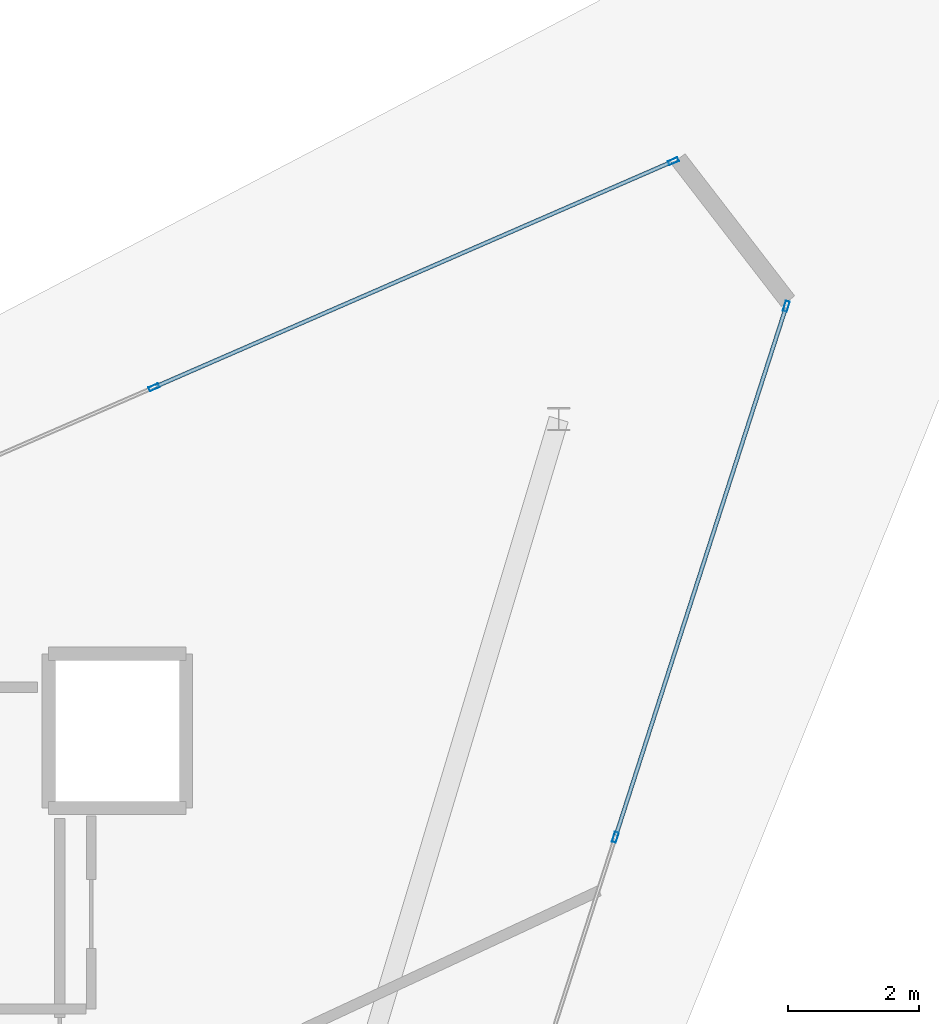
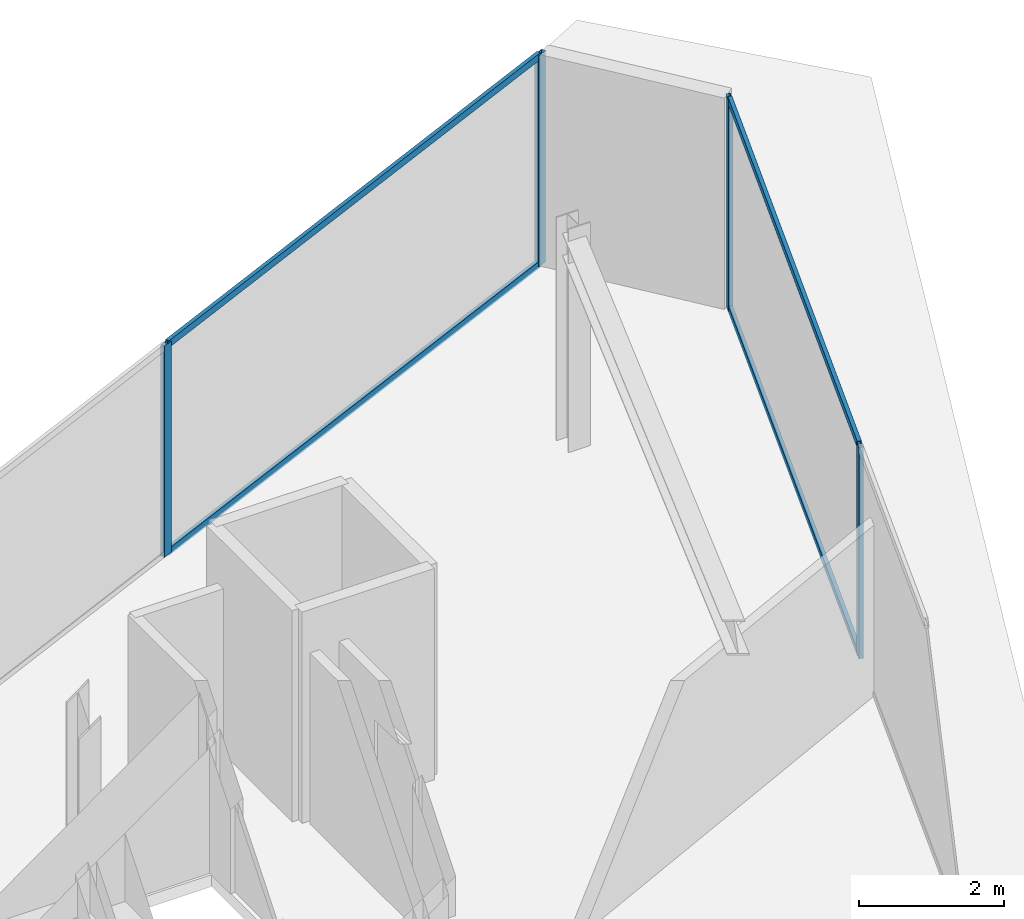
# One storey, part 11 of 14: 8 members, 2 elements without a shape of their own.
"""IFC4 building model written with IfcOpenShell, lengths in metres."""

from ifc_helpers import new_model, si_unit, direction, frame, origin, origin_2d, place, context, subcontext, project, spatial, hollow_rectangle, extrude, material, layer, layer_set, material_profile, profile_set, type_object, element, aggregate, save


model = new_model("IFC4")

# Units and contexts
model_context = context("Model", 3, precision=1e-05, world=origin(), true_north=direction((0.0, 1.0)))
body_context = subcontext(model_context, "Body", "Model", "MODEL_VIEW")
ifc_project = project(units=[si_unit("LENGTHUNIT", "METRE"), si_unit("AREAUNIT", "SQUARE_METRE"), si_unit("VOLUMEUNIT", "CUBIC_METRE"), si_unit("PLANEANGLEUNIT", "RADIAN"), si_unit("MASSUNIT", "GRAM", prefix="KILO")], contexts=[model_context])

# Site, building, storey
site_placement = place(None, origin())
site = spatial("IfcSite", under=ifc_project, at=site_placement, CompositionType="ELEMENT")
building_placement = place(site_placement, origin())
building = spatial("IfcBuilding", under=site, at=building_placement, Name="Qianvela Tower", CompositionType="ELEMENT")
storey_placement = place(building_placement, frame((0.0, 0.0, 356.300048828125)))
storey = spatial("IfcBuildingStorey", under=building, at=storey_placement, Name="L92", CompositionType="ELEMENT", Elevation=356.300048828125)

# Curtain wall, members
ifc_material_1 = material(Name="Anodised Architectural Aluminium and Low-E Glass", Category="aluminium")
ifc_layer = layer(ifc_material_1, 0.159912109375)
ifc_layer_set = layer_set([ifc_layer], Name="Anodised Architectural Aluminium and Low-E Glass")
curtain_wall_type = type_object("IfcCurtainWallType", Name="CW-CROWN", PredefinedType="USERDEFINED", material=ifc_layer_set)
curtain_wall_1_placement = place(storey_placement, origin())
curtain_wall_1 = element("IfcCurtainWall", 1, at=curtain_wall_1_placement, inside=storey, type_object=curtain_wall_type, Name="L92 CW-CROWN Curtain Wall 02", ObjectType="CURTAIN_WALL_SYSTEM", PredefinedType="USERDEFINED")
ifc_material_2 = material(Name="Anodised Architectural Aluminium 6063-T6", Category="aluminium")
ifc_material_profile_1 = material_profile(ifc_material_2, hollow_rectangle(XDim=0.06494140625, YDim=0.159912109375, WallThickness=0.0048828125, at=origin_2d()), Name="ALU-MULL-65x160")
ifc_profile_set_1 = profile_set([ifc_material_profile_1], Name="Anodised Architectural Aluminium 6063-T6")
member_type_1 = type_object("IfcMemberType", Name="CW-CROWN-MULL", PredefinedType="MULLION", material=ifc_profile_set_1)
member_1_placement = place(storey_placement, frame((51.00048828125, 42.811767578125, 0.0), z_axis=(0.0, 0.0, 1.0), x_axis=(0.399215073165, -0.916857309159, 0.0)))
member_1 = element("IfcMember", 2, at=member_1_placement, type_object=member_type_1, Name="CW-8 mullion 1", PredefinedType="MULLION", context=body_context, shape_type="SweptSolid", body=[
    extrude(hollow_rectangle(XDim=0.06494140625, YDim=0.159912109375, WallThickness=0.0048828125, at=origin_2d()), origin(), (0.0, 0.0, 1.0), 3.550048828125),
])
member_2_placement = place(storey_placement, frame((43.058837890625, 39.353759765625, 0.0), z_axis=(0.0, 0.0, 1.0), x_axis=(0.399215073165, -0.916857309159, 0.0)))
member_2 = element("IfcMember", 3, at=member_2_placement, type_object=member_type_1, Name="CW-8 mullion 2", PredefinedType="MULLION", context=body_context, shape_type="SweptSolid", body=[
    extrude(hollow_rectangle(XDim=0.06494140625, YDim=0.159912109375, WallThickness=0.0048828125, at=origin_2d()), origin(), (0.0, 0.0, 1.0), 3.550048828125),
])

curtain_wall_2_placement = place(storey_placement, origin())
curtain_wall_2 = element("IfcCurtainWall", 4, at=curtain_wall_2_placement, inside=storey, type_object=curtain_wall_type, Name="L92 CW-CROWN Curtain Wall 06", ObjectType="CURTAIN_WALL_SYSTEM", PredefinedType="USERDEFINED")
member_3_placement = place(storey_placement, frame((50.11376953125, 32.474853515625, 0.0), z_axis=(0.0, 0.0, 1.0), x_axis=(-0.951894457902, 0.306426077572, 0.0)))
member_3 = element("IfcMember", 5, at=member_3_placement, type_object=member_type_1, Name="CW-8 mullion 4", PredefinedType="MULLION", context=body_context, shape_type="SweptSolid", body=[
    extrude(hollow_rectangle(XDim=0.06494140625, YDim=0.159912109375, WallThickness=0.0048828125, at=origin_2d()), origin(), (0.0, 0.0, 1.0), 3.550048828125),
])
member_4_placement = place(storey_placement, frame((52.7275390625, 40.59375, 0.0), z_axis=(0.0, 0.0, 1.0), x_axis=(-0.951894457902, 0.306426077572, 0.0)))
member_4 = element("IfcMember", 6, at=member_4_placement, type_object=member_type_1, Name="CW-8 mullion 5", PredefinedType="MULLION", context=body_context, shape_type="SweptSolid", body=[
    extrude(hollow_rectangle(XDim=0.06494140625, YDim=0.159912109375, WallThickness=0.0048828125, at=origin_2d()), origin(), (0.0, 0.0, 1.0), 3.550048828125),
])

# Member
ifc_material_3 = material(Name="Anodised Architectural Aluminium 6063-T6", Category="aluminium")
ifc_material_profile_2 = material_profile(ifc_material_3, hollow_rectangle(XDim=0.06005859375, YDim=0.114990234375, WallThickness=0.00390625, at=origin_2d()), Name="ALU-TRAN-60x115")
ifc_profile_set_2 = profile_set([ifc_material_profile_2], Name="Anodised Architectural Aluminium 6063-T6")
member_type_2 = type_object("IfcMemberType", Name="CW-CROWN-TRAN", PredefinedType="USERDEFINED", material=ifc_profile_set_2)
member_5_placement = place(storey_placement, frame((50.970703125, 42.798828125, 0.030029296875), z_axis=(-0.916851397682, -0.399228649485, 0.0), x_axis=(0.399228649485, -0.916851397682, 0.0)))
member_5 = element("IfcMember", 7, at=member_5_placement, type_object=member_type_2, Name="CW-8 transom 1.1", ObjectType="TRANSOM", PredefinedType="USERDEFINED", context=body_context, shape_type="SweptSolid", body=[
    extrude(hollow_rectangle(XDim=0.06005859375, YDim=0.114990234375, WallThickness=0.00390625, at=origin_2d()), origin(), (0.0, 0.0, 1.0), 8.596923828125),
])

member_6_placement = place(storey_placement, frame((50.970703125, 42.798828125, 3.52001953125), z_axis=(-0.916851397682, -0.399228649485, 0.0), x_axis=(0.399228649485, -0.916851397682, 0.0)))
member_6 = element("IfcMember", 8, at=member_6_placement, type_object=member_type_2, Name="CW-8 transom 1.2", ObjectType="TRANSOM", PredefinedType="USERDEFINED", context=body_context, shape_type="SweptSolid", body=[
    extrude(hollow_rectangle(XDim=0.06005859375, YDim=0.114990234375, WallThickness=0.00390625, at=origin_2d()), origin(), (0.0, 0.0, 1.0), 8.596923828125),
])

aggregate(curtain_wall_1, [member_1, member_2, member_5, member_6])

member_7_placement = place(storey_placement, frame((50.123779296875, 32.505859375, 0.030029296875), z_axis=(0.306433032393, 0.951892219035, 0.0), x_axis=(-0.951892219035, 0.306433032393, 0.0)))
member_7 = element("IfcMember", 9, at=member_7_placement, type_object=member_type_2, Name="CW-8 transom 4.1", ObjectType="TRANSOM", PredefinedType="USERDEFINED", context=body_context, shape_type="SweptSolid", body=[
    extrude(hollow_rectangle(XDim=0.06005859375, YDim=0.114990234375, WallThickness=0.00390625, at=origin_2d()), origin(), (0.0, 0.0, 1.0), 8.46435546875),
])

member_8_placement = place(storey_placement, frame((50.123779296875, 32.505859375, 3.52001953125), z_axis=(0.306433032393, 0.951892219035, 0.0), x_axis=(-0.951892219035, 0.306433032393, 0.0)))
member_8 = element("IfcMember", 10, at=member_8_placement, type_object=member_type_2, Name="CW-8 transom 4.2", ObjectType="TRANSOM", PredefinedType="USERDEFINED", context=body_context, shape_type="SweptSolid", body=[
    extrude(hollow_rectangle(XDim=0.06005859375, YDim=0.114990234375, WallThickness=0.00390625, at=origin_2d()), origin(), (0.0, 0.0, 1.0), 8.46435546875),
])

aggregate(curtain_wall_2, [member_3, member_4, member_7, member_8])

save(model, "model.ifc")
